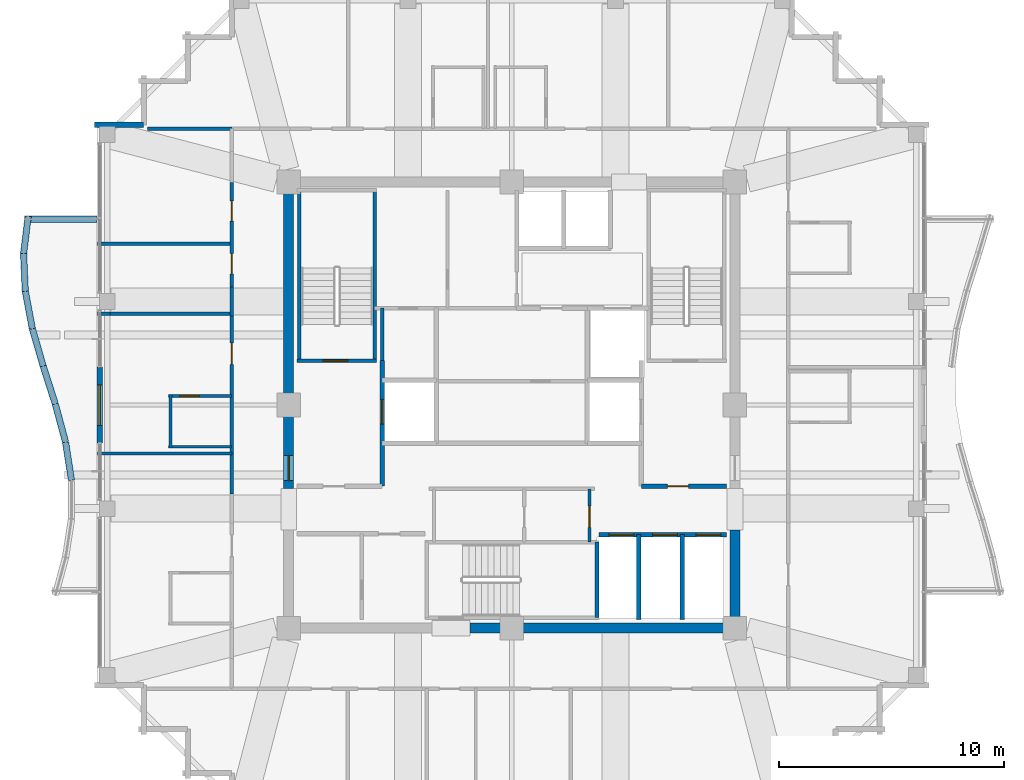
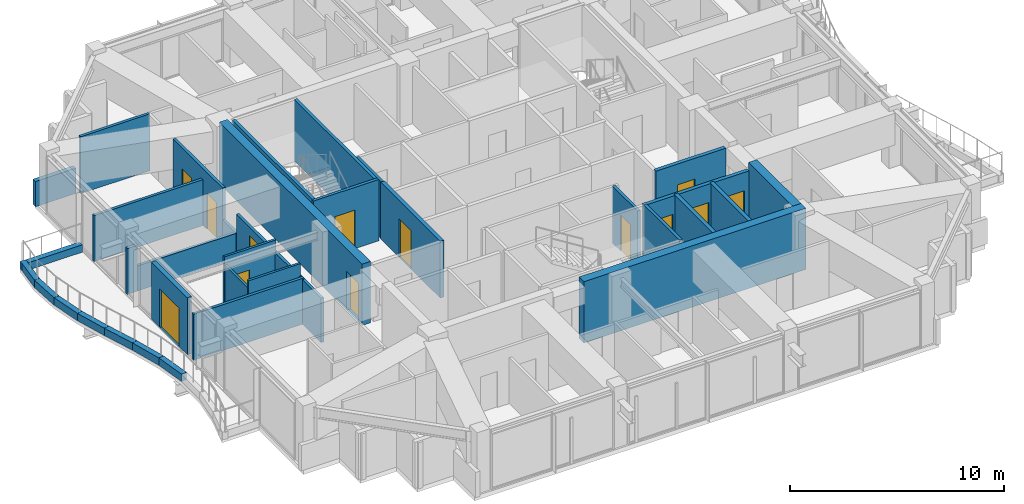
# One storey, part 26 of 31: 35 walls, 13 doors, 13 openings.
"""IFC4 building model written with IfcOpenShell, lengths in metres."""

import ifcopenshell
import ifcopenshell.guid

model = None  # the IFC model being written
_history = None  # IfcOwnerHistory: only IFC2X3 demands one
_inside = {}  # id of a spatial element -> (the spatial element, [elements in it])
_under = {}  # id of a project, library or spatial element -> (it, [spatial elements below it])
_declared = {}  # id of a project -> (the project, [libraries it declares])
_typed = {}  # id of a type object -> (the type object, [elements of that type])
_made_of = {}  # id of a material, layer set ... -> (it, [elements and type objects made of it])


def new_model(schema):
    """Start an empty IFC model of exactly this schema.

    Asked for "IFC4X3", IfcOpenShell would pick the latest addendum, in which some entities
    have other attributes; the version numbers below select the first issue.
    IFC2X3 requires an IfcOwnerHistory on every rooted entity: one is made here for all.
    """
    global model, _history
    if schema == "IFC4X3":
        model = ifcopenshell.file(schema_version=(4, 3, 0, 0))
    else:
        model = ifcopenshell.file(schema=schema)
    _inside.clear()
    _under.clear()
    _declared.clear()
    _typed.clear()
    _made_of.clear()
    _history = None
    if model.schema == "IFC2X3":
        org = make("IfcOrganization", Name="unknown")
        user = make(
            "IfcPersonAndOrganization",
            ThePerson=make("IfcPerson", FamilyName="unknown"),
            TheOrganization=org,
        )
        app = make(
            "IfcApplication",
            ApplicationDeveloper=org,
            Version="unknown",
            ApplicationFullName="unknown",
            ApplicationIdentifier="unknown",
        )
        _history = make(
            "IfcOwnerHistory",
            OwningUser=user,
            OwningApplication=app,
            ChangeAction="ADDED",
            CreationDate=0,
        )
    return model


def make(cls, **values):
    """One entity of the class cls with the attributes given. An attribute that is None is left unset."""
    return model.create_entity(
        cls, **{name: value for name, value in values.items() if value is not None}
    )


def rooted(cls, **values):
    """An entity with a GlobalId (a new one), such as an element, a storey or a relation."""
    return make(cls, GlobalId=ifcopenshell.guid.new(), OwnerHistory=_history, **values)


def si_unit(unit_type, name, prefix=None):
    """IfcSIUnit, for example si_unit("LENGTHUNIT", "METRE", prefix="MILLI")."""
    return make("IfcSIUnit", UnitType=unit_type, Prefix=prefix, Name=name)


def assignment(units):
    """IfcUnitAssignment: the units of a project."""
    return None if units is None else make("IfcUnitAssignment", Units=units)


def point(xyz):
    """IfcCartesianPoint."""
    return None if xyz is None else make("IfcCartesianPoint", Coordinates=xyz)


def direction(xyz):
    """IfcDirection."""
    return None if xyz is None else make("IfcDirection", DirectionRatios=xyz)


def frame(location, z_axis=None, x_axis=None):
    """IfcAxis2Placement3D, a coordinate frame: its origin and axes. An axis left out is left unset."""
    return make(
        "IfcAxis2Placement3D",
        Location=point(location),
        Axis=direction(z_axis),
        RefDirection=direction(x_axis),
    )


def frame_2d(location, x_axis=None):
    """IfcAxis2Placement2D, a coordinate frame in the plane: its origin and x axis."""
    return make(
        "IfcAxis2Placement2D", Location=point(location), RefDirection=direction(x_axis)
    )


def origin():
    """The frame at (0, 0, 0) with its axes left unset."""
    return frame((0.0, 0.0, 0.0))


def place(relative_to, where):
    """IfcLocalPlacement: puts the frame where relative to a parent placement (None: the world)."""
    return make(
        "IfcLocalPlacement", PlacementRelTo=relative_to, RelativePlacement=where
    )


def context(
    kind, dimensions, precision=None, world=None, true_north=None, identifier=None
):
    """IfcGeometricRepresentationContext, for example the 3D "Model" context."""
    return make(
        "IfcGeometricRepresentationContext",
        ContextIdentifier=identifier,
        ContextType=kind,
        CoordinateSpaceDimension=dimensions,
        Precision=precision,
        WorldCoordinateSystem=world,
        TrueNorth=true_north,
    )


def subcontext(parent, identifier, kind, view, scale=None):
    """IfcGeometricRepresentationSubContext, for example "Body" below "Model"."""
    return make(
        "IfcGeometricRepresentationSubContext",
        ContextIdentifier=identifier,
        ContextType=kind,
        ParentContext=parent,
        TargetScale=scale,
        TargetView=view,
    )


def project(units=None, contexts=None):
    """IfcProject with its units and contexts."""
    return rooted(
        "IfcProject",
        Name="project",
        RepresentationContexts=contexts,
        UnitsInContext=assignment(units),
    )


def spatial(cls, under=None, at=None, **own):
    """A site, building, storey or space (cls), placed at a placement, below another one or the project."""
    s = rooted(cls, ObjectPlacement=at, **own)
    if under is not None:
        _under.setdefault(under.id(), (under, []))[1].append(s)
    return s


def profile(cls, at=None, kind="AREA", **sizes):
    """A parametric profile (cls). Its sizes go by their IFC names, for example OverallWidth=200.0."""
    return make(cls, ProfileType=kind, Position=at, **sizes)


def rectangle(**sizes):
    """IfcRectangleProfileDef."""
    return profile("IfcRectangleProfileDef", **sizes)


def extrude(swept, where, along, depth):
    """IfcExtrudedAreaSolid: the profile swept, set in the frame where, extruded along a direction by depth."""
    return make(
        "IfcExtrudedAreaSolid",
        SweptArea=swept,
        Position=where,
        ExtrudedDirection=direction(along),
        Depth=depth,
    )


def shape(context_of_items, identifier, shape_type, items):
    """IfcShapeRepresentation: the items that make up one representation, for example the "Body"."""
    return make(
        "IfcShapeRepresentation",
        ContextOfItems=context_of_items,
        RepresentationIdentifier=identifier,
        RepresentationType=shape_type,
        Items=items,
    )


def material(Name=None, Category=None):
    """IfcMaterial."""
    return make("IfcMaterial", Name=Name, Category=Category)


def layer(
    of_material, thickness, ventilated=None, Name=None, Category=None, Priority=None
):
    """IfcMaterialLayer: one layer of a wall or slab, of a material (None: an air gap)."""
    return make(
        "IfcMaterialLayer",
        Material=of_material,
        LayerThickness=thickness,
        IsVentilated=ventilated,
        Name=Name,
        Category=Category,
        Priority=Priority,
    )


def layer_set(layers, Name=None):
    """IfcMaterialLayerSet."""
    return make("IfcMaterialLayerSet", MaterialLayers=layers, LayerSetName=Name)


def made_of(thing, what):
    """Note that an element or type object is made of a material, layer set ...; save() writes the relation."""
    if what is not None:
        _made_of.setdefault(what.id(), (what, []))[1].append(thing)
    return thing


def type_object(cls, material=None, **own):
    """A type object (cls), such as IfcWallType, which elements share."""
    return made_of(rooted(cls, **own), material)


def element(
    cls,
    number,
    at=None,
    inside=None,
    cuts=None,
    type_object=None,
    material=None,
    context=None,
    identifier="Body",
    shape_type=None,
    held_by="IfcProductDefinitionShape",
    body=None,
    shapes=None,
    **own,
):
    """One element of the class cls, such as IfcWall. Its Tag is "e" and its number.

    at: its placement. inside: the storey or other place that contains it. cuts: it is an
    opening in that element (IfcRelVoidsElement). A single representation is given by context,
    identifier, shape_type and body (its items); several are given by shapes. held_by: the class
    of the entity that holds the representations. save() writes the other relations.
    """
    e = rooted(cls, Tag="e%d" % number, ObjectPlacement=at, **own)
    if body is not None:
        shapes = [shape(context, identifier, shape_type, body)]
    if shapes is not None:
        e.Representation = make(held_by, Representations=shapes)
    if inside is not None:
        _inside.setdefault(inside.id(), (inside, []))[1].append(e)
    if cuts is not None:
        rooted(
            "IfcRelVoidsElement", RelatingBuildingElement=cuts, RelatedOpeningElement=e
        )
    if type_object is not None:
        _typed.setdefault(type_object.id(), (type_object, []))[1].append(e)
    return made_of(e, material)


def fill(opening, filler):
    """IfcRelFillsElement: the door or window that sits in an opening."""
    return rooted(
        "IfcRelFillsElement",
        RelatingOpeningElement=opening,
        RelatedBuildingElement=filler,
    )


def aggregate(whole, parts):
    """IfcRelAggregates: a whole, such as a stair, and the parts it consists of."""
    return rooted("IfcRelAggregates", RelatingObject=whole, RelatedObjects=parts)


def save(model, path):
    """Write the relations noted so far, then the file.

    IfcRelAggregates (storeys below a building ...), IfcRelContainedInSpatialStructure (elements
    in a storey), IfcRelDefinesByType, IfcRelAssociatesMaterial and IfcRelDeclares: one each for
    every whole, place, type object, material and project.
    """
    for whole, parts in _under.values():
        aggregate(whole, parts)
    for where, things in _inside.values():
        rooted(
            "IfcRelContainedInSpatialStructure",
            RelatedElements=things,
            RelatingStructure=where,
        )
    for kind, things in _typed.values():
        rooted("IfcRelDefinesByType", RelatedObjects=things, RelatingType=kind)
    for what, things in _made_of.values():
        rooted("IfcRelAssociatesMaterial", RelatedObjects=things, RelatingMaterial=what)
    for by, libraries in _declared.values():
        rooted("IfcRelDeclares", RelatingContext=by, RelatedDefinitions=libraries)
    model.write(path)


model = new_model("IFC4")

# Units and contexts
model_context = context("Model", 3, precision=1e-05, world=origin(), true_north=direction((0.0, 1.0)))
body_context = subcontext(model_context, "Body", "Model", "MODEL_VIEW")
ifc_project = project(units=[si_unit("LENGTHUNIT", "METRE"), si_unit("AREAUNIT", "SQUARE_METRE"), si_unit("VOLUMEUNIT", "CUBIC_METRE"), si_unit("PLANEANGLEUNIT", "RADIAN"), si_unit("MASSUNIT", "GRAM", prefix="KILO")], contexts=[model_context])

# Site, building, storey
site_placement = place(None, origin())
site = spatial("IfcSite", under=ifc_project, at=site_placement, CompositionType="ELEMENT")
building_placement = place(site_placement, origin())
building = spatial("IfcBuilding", under=site, at=building_placement, Name="Kolvaren Belvedere", CompositionType="ELEMENT")
storey_placement = place(building_placement, frame((0.0, 0.0, 237.39990234375)))
storey = spatial("IfcBuildingStorey", under=building, at=storey_placement, Name="L69", CompositionType="ELEMENT", Elevation=237.39990234375)

# Walls
ifc_material_1 = material(Name="Concrete C50/60", Category="concrete")
ifc_layer_1 = layer(ifc_material_1, 0.449951171875)
ifc_layer_set_1 = layer_set([ifc_layer_1], Name="Concrete C50/60")
wall_type_1 = type_object("IfcWallType", Name="CW-CORE-450", PredefinedType="SHEAR", material=ifc_layer_set_1)
wall_1_placement = place(storey_placement, frame((10.125, -9.89990234375, 0.0), z_axis=(0.0, 0.0, 1.0), x_axis=(-1.0, 0.0, 0.0)))
element("IfcWall", 1, at=wall_1_placement, inside=storey, type_object=wall_type_1, Name="L69 South Core Shear Wall 1", PredefinedType="SHEAR", context=body_context, shape_type="SweptSolid", body=[
    extrude(rectangle(XDim=11.985107421875, YDim=0.449951171875, at=frame_2d((5.99267578125, 0.0))), origin(), (0.0, 0.0, 1.0), 3.5),
])
wall_2_placement = place(storey_placement, frame((9.89990234375, -9.675048828125, 0.0), z_axis=(0.0, 0.0, 1.0), x_axis=(0.0, 1.0, 0.0)))
element("IfcWall", 2, at=wall_2_placement, inside=storey, type_object=wall_type_1, Name="L69 East Core Shear Wall 1", PredefinedType="SHEAR", context=body_context, shape_type="SweptSolid", body=[
    extrude(rectangle(XDim=4.125, YDim=0.449951171875, at=frame_2d((2.0625, 0.0))), origin(), (0.0, 0.0, 1.0), 3.5),
])

# Wall, opening, door
wall_3_placement = place(storey_placement, frame((-9.89990234375, -3.699951171875, 0.0), z_axis=(0.0, 0.0, 1.0), x_axis=(0.0, 1.0, 0.0)))
wall_3 = element("IfcWall", 3, at=wall_3_placement, inside=storey, type_object=wall_type_1, Name="L69 West Core Shear Wall 2", PredefinedType="SHEAR", context=body_context, shape_type="SweptSolid", body=[
    extrude(rectangle(XDim=13.375, YDim=0.449951171875, at=frame_2d((6.6875, 0.0))), origin(), (0.0, 0.0, 1.0), 3.5),
])
opening_1_placement = place(wall_3_placement, frame((0.35009765625, 0.0, 0.0)))
opening_1 = element("IfcOpeningElement", 4, at=opening_1_placement, cuts=wall_3, Name="Opening D-FD90", PredefinedType="OPENING", context=body_context, shape_type="SweptSolid", body=[
    extrude(rectangle(XDim=1.10009765625, YDim=2.199951171875, at=frame_2d((0.550048828125, 1.10009765625))), frame((0.0, 0.23486328125, 0.0), z_axis=(0.0, -1.0, 0.0), x_axis=(1.0, 0.0, 0.0)), (0.0, 0.0, 1.0), 0.469970703125),
])
ifc_material_2 = material(Name="Painted hollow stainless steel", Category="steel")
door_type_1 = type_object("IfcDoorType", Name="DR-FD90-1100", OperationType="NOTDEFINED", PredefinedType="DOOR", material=ifc_material_2)
door_1_placement = place(opening_1_placement, origin())
door_1 = element("IfcDoor", 5, at=door_1_placement, inside=storey, type_object=door_type_1, Name="L69 West Firefighting Lobby Fire Door", OperationType="SINGLE_SWING_LEFT", OverallHeight=2.199951171875, OverallWidth=1.10009765625, PredefinedType="DOOR", context=body_context, shape_type="SweptSolid", body=[
    extrude(rectangle(XDim=1.10009765625, YDim=2.199951171875, at=frame_2d((0.550048828125, 1.10009765625))), frame((0.0, 0.02490234375, 0.0), z_axis=(0.0, -1.0, 0.0), x_axis=(1.0, 0.0, 0.0)), (0.0, 0.0, 1.0), 0.050048828125),
])
fill(opening_1, door_1)

ifc_material_3 = material(Name="Concrete C50/60", Category="concrete")
ifc_layer_2 = layer(ifc_material_3, 0.159912109375)
ifc_layer_set_2 = layer_set([ifc_layer_2], Name="Concrete C50/60")
wall_type_2 = type_object("IfcWallType", Name="CW-STAIR-160", PredefinedType="SHEAR", material=ifc_layer_set_2)
wall_4_placement = place(storey_placement, frame((-9.52001953125, 1.969970703125, 0.0), z_axis=(0.0, 0.0, 1.0), x_axis=(1.0, 0.0, 0.0)))
wall_4 = element("IfcWall", 6, at=wall_4_placement, inside=storey, type_object=wall_type_2, Name="L69 Stair ST-1 South Shear Wall", PredefinedType="SHEAR", context=body_context, shape_type="SweptSolid", body=[
    extrude(rectangle(XDim=3.52001953125, YDim=0.159912109375, at=frame_2d((1.760009765625, 0.0))), origin(), (0.0, 0.0, 1.0), 3.5),
])
opening_2_placement = place(wall_4_placement, frame((1.14990234375, 0.0, 0.0)))
opening_2 = element("IfcOpeningElement", 7, at=opening_2_placement, cuts=wall_4, Name="Opening D-FD90", PredefinedType="OPENING", context=body_context, shape_type="SweptSolid", body=[
    extrude(rectangle(XDim=1.10009765625, YDim=2.199951171875, at=frame_2d((0.550048828125, 1.10009765625))), frame((0.0, 0.08984375, 0.0), z_axis=(0.0, -1.0, 0.0), x_axis=(1.0, 0.0, 0.0)), (0.0, 0.0, 1.0), 0.179931640625),
])
door_2_placement = place(opening_2_placement, origin())
door_2 = element("IfcDoor", 8, at=door_2_placement, inside=storey, type_object=door_type_1, Name="L69 Stair ST-1 Fire Door", OperationType="SINGLE_SWING_LEFT", OverallHeight=2.199951171875, OverallWidth=1.10009765625, PredefinedType="DOOR", context=body_context, shape_type="SweptSolid", body=[
    extrude(rectangle(XDim=1.10009765625, YDim=2.199951171875, at=frame_2d((0.550048828125, 1.10009765625))), frame((0.0, 0.02490234375, 0.0), z_axis=(0.0, -1.0, 0.0), x_axis=(1.0, 0.0, 0.0)), (0.0, 0.0, 1.0), 0.050048828125),
])
fill(opening_2, door_2)

# Walls
for number, where, z_axis, x_axis, name in (
    (9, (-9.429931640625, 1.969970703125, 0.0), (0.0, 0.0, 1.0), (0.0, 1.0, 0.0), "L69 Stair ST-1 West Shear Wall"),
    (10, (-6.080078125, 1.969970703125, 0.0), (0.0, 0.0, 1.0), (0.0, 1.0, 0.0), "L69 Stair ST-1 East Shear Wall"),
):
    element("IfcWall", number, at=place(storey_placement, frame(where, z_axis=z_axis, x_axis=x_axis)), inside=storey, type_object=wall_type_2, Name=name, PredefinedType="SHEAR", context=body_context, shape_type="SweptSolid", body=[
        extrude(rectangle(XDim=7.56005859375, YDim=0.159912109375, at=frame_2d((3.780029296875, 0.0))), origin(), (0.0, 0.0, 1.0), 3.5),
    ])
wall_5_placement = place(storey_placement, frame((3.780029296875, -9.429931640625, 0.0), z_axis=(0.0, 0.0, 1.0), x_axis=(0.0, 1.0, 0.0)))
element("IfcWall", 11, at=wall_5_placement, inside=storey, type_object=wall_type_2, Name="L69 Stair ST-3 East Shear Wall", PredefinedType="SHEAR", context=body_context, shape_type="SweptSolid", body=[
    extrude(rectangle(XDim=3.349853515625, YDim=0.159912109375, at=frame_2d((1.6748046875, 0.0))), origin(), (0.0, 0.0, 1.0), 3.5),
])

# Wall, opening, door
ifc_material_4 = material(Name="Gypsum fire-rated partition assembly", Category="gypsum")
ifc_layer_3 = layer(ifc_material_4, 0.14990234375)
ifc_layer_set_3 = layer_set([ifc_layer_3], Name="Gypsum fire-rated partition assembly")
wall_type_3 = type_object("IfcWallType", Name="WL-CORR-150", PredefinedType="PARTITIONING", material=ifc_layer_set_3)
wall_6_placement = place(storey_placement, frame((-12.419921875, -3.9580078125, 0.0), z_axis=(0.0, 0.0, 1.0), x_axis=(0.0, 1.0, 0.0)))
wall_6 = element("IfcWall", 12, at=wall_6_placement, inside=storey, type_object=wall_type_3, Name="L69 West Corridor Wall", PredefinedType="PARTITIONING", context=body_context, shape_type="SweptSolid", body=[
    extrude(rectangle(XDim=7.916015625, YDim=0.14990234375, at=frame_2d((3.9580078125, 0.0))), origin(), (0.0, 0.0, 1.0), 2.5390625),
])
opening_3_placement = place(wall_6_placement, frame((5.757568359375, 0.0, 0.0)))
opening_3 = element("IfcOpeningElement", 13, at=opening_3_placement, cuts=wall_6, Name="Opening D-FD60", PredefinedType="OPENING", context=body_context, shape_type="SweptSolid", body=[
    extrude(rectangle(XDim=0.949951171875, YDim=2.06005859375, at=frame_2d((0.47509765625, 1.030029296875))), frame((0.0, 0.0849609375, 0.0), z_axis=(0.0, -1.0, 0.0), x_axis=(1.0, 0.0, 0.0)), (0.0, 0.0, 1.0), 0.169921875),
])
ifc_material_5 = material(Name="Acoustic white-oak fire door leaf", Category="timber")
door_type_2 = type_object("IfcDoorType", Name="DR-FD60-950", OperationType="NOTDEFINED", PredefinedType="DOOR", material=ifc_material_5)
door_3_placement = place(opening_3_placement, origin())
door_3 = element("IfcDoor", 14, at=door_3_placement, inside=storey, type_object=door_type_2, Name="L69 King Guest Room 6907 Entry Door", OperationType="SINGLE_SWING_LEFT", OverallHeight=2.06005859375, OverallWidth=0.949951171875, PredefinedType="DOOR", context=body_context, shape_type="SweptSolid", body=[
    extrude(rectangle(XDim=0.949951171875, YDim=2.06005859375, at=frame_2d((0.47509765625, 1.030029296875))), frame((0.0, 0.02490234375, 0.0), z_axis=(0.0, -1.0, 0.0), x_axis=(1.0, 0.0, 0.0)), (0.0, 0.0, 1.0), 0.050048828125),
])
fill(opening_3, door_3)

# Wall
wall_7_placement = place(storey_placement, frame((-12.419921875, 3.9580078125, 0.0), z_axis=(0.0, 0.0, 1.0), x_axis=(0.0, 1.0, 0.0)))
element("IfcWall", 15, at=wall_7_placement, inside=storey, type_object=wall_type_3, Name="L69 West Corridor Wall", PredefinedType="PARTITIONING", context=body_context, shape_type="SweptSolid", body=[
    extrude(rectangle(XDim=1.283935546875, YDim=0.14990234375, at=frame_2d((0.64208984375, 0.0))), origin(), (0.0, 0.0, 1.0), 1.43505859375),
])

# Wall, openings, doors
wall_8_placement = place(storey_placement, frame((-12.419921875, 5.241943359375, 0.0), z_axis=(0.0, 0.0, 1.0), x_axis=(0.0, 1.0, 0.0)))
wall_8 = element("IfcWall", 16, at=wall_8_placement, inside=storey, type_object=wall_type_3, Name="L69 West Corridor Wall", PredefinedType="PARTITIONING", context=body_context, shape_type="SweptSolid", body=[
    extrude(rectangle(XDim=4.63037109375, YDim=0.14990234375, at=frame_2d((2.315185546875, 0.0))), origin(), (0.0, 0.0, 1.0), 3.25),
])
opening_4_placement = place(wall_8_placement, frame((0.579833984375, 0.0, 0.0)))
opening_4 = element("IfcOpeningElement", 17, at=opening_4_placement, cuts=wall_8, Name="Opening D-INT90", PredefinedType="OPENING", context=body_context, shape_type="SweptSolid", body=[
    extrude(rectangle(XDim=0.89990234375, YDim=2.06005859375, at=frame_2d((0.449951171875, 1.030029296875))), frame((0.0, 0.0849609375, 0.0), z_axis=(0.0, -1.0, 0.0), x_axis=(1.0, 0.0, 0.0)), (0.0, 0.0, 1.0), 0.169921875),
])
opening_5_placement = place(wall_8_placement, frame((2.914794921875, 0.0, 0.0)))
opening_5 = element("IfcOpeningElement", 18, at=opening_5_placement, cuts=wall_8, Name="Opening D-INT90", PredefinedType="OPENING", context=body_context, shape_type="SweptSolid", body=[
    extrude(rectangle(XDim=0.89990234375, YDim=2.06005859375, at=frame_2d((0.449951171875, 1.030029296875))), frame((0.0, 0.0849609375, 0.0), z_axis=(0.0, -1.0, 0.0), x_axis=(1.0, 0.0, 0.0)), (0.0, 0.0, 1.0), 0.169921875),
])
ifc_material_6 = material(Name="Stained Pacific white oak", Category="timber")
door_type_3 = type_object("IfcDoorType", Name="DR-INT-900", OperationType="NOTDEFINED", PredefinedType="DOOR", material=ifc_material_6)
door_4_placement = place(opening_4_placement, origin())
door_4 = element("IfcDoor", 19, at=door_4_placement, inside=storey, type_object=door_type_3, Name="L69 Lounge 6908 Door", OperationType="SINGLE_SWING_RIGHT", OverallHeight=2.06005859375, OverallWidth=0.89990234375, PredefinedType="DOOR", context=body_context, shape_type="SweptSolid", body=[
    extrude(rectangle(XDim=0.89990234375, YDim=2.06005859375, at=frame_2d((0.449951171875, 1.030029296875))), frame((0.0, 0.02490234375, 0.0), z_axis=(0.0, -1.0, 0.0), x_axis=(1.0, 0.0, 0.0)), (0.0, 0.0, 1.0), 0.050048828125),
])
fill(opening_4, door_4)
door_5_placement = place(opening_5_placement, origin())
door_5 = element("IfcDoor", 20, at=door_5_placement, inside=storey, type_object=door_type_3, Name="L69 Lounge 6909 Door", OperationType="SINGLE_SWING_LEFT", OverallHeight=2.06005859375, OverallWidth=0.89990234375, PredefinedType="DOOR", context=body_context, shape_type="SweptSolid", body=[
    extrude(rectangle(XDim=0.89990234375, YDim=2.06005859375, at=frame_2d((0.449951171875, 1.030029296875))), frame((0.0, 0.02490234375, 0.0), z_axis=(0.0, -1.0, 0.0), x_axis=(1.0, 0.0, 0.0)), (0.0, 0.0, 1.0), 0.050048828125),
])
fill(opening_5, door_5)

# Wall
ifc_material_7 = material(Name="Insulated pale-metal facade wall assembly", Category="aluminium")
ifc_layer_4 = layer(ifc_material_7, 0.239990234375)
ifc_layer_set_4 = layer_set([ifc_layer_4], Name="Insulated pale-metal facade wall assembly")
wall_type_4 = type_object("IfcWallType", Name="WL-EXT-240", PredefinedType="STANDARD", material=ifc_layer_set_4)
wall_9_placement = place(storey_placement, frame((-18.52001953125, 12.429931640625, 0.0), z_axis=(0.0, 0.0, 1.0), x_axis=(1.0, 0.0, 0.0)))
element("IfcWall", 21, at=wall_9_placement, inside=storey, type_object=wall_type_4, Name="L69 Serrated Corner Facade Wall 21", PredefinedType="STANDARD", context=body_context, shape_type="SweptSolid", body=[
    extrude(rectangle(XDim=2.18994140625, YDim=0.239990234375, at=frame_2d((1.094970703125, 0.0))), origin(), (0.0, 0.0, 1.0), 1.445068359375),
])

# Wall, opening, door
wall_10_placement = place(storey_placement, frame((-18.280029296875, -1.679931640625, 0.0), z_axis=(0.0, 0.0, 1.0), x_axis=(0.0, 1.0, 0.0)))
wall_10 = element("IfcWall", 22, at=wall_10_placement, inside=storey, type_object=wall_type_4, Name="L69 West Terrace Portal Wall", PredefinedType="STANDARD", context=body_context, shape_type="SweptSolid", body=[
    extrude(rectangle(XDim=3.35986328125, YDim=0.239990234375, at=frame_2d((1.679931640625, 0.0))), origin(), (0.0, 0.0, 1.0), 3.25),
])
opening_6_placement = place(wall_10_placement, frame((0.780029296875, 0.0, 0.0)))
opening_6 = element("IfcOpeningElement", 23, at=opening_6_placement, cuts=wall_10, Name="Opening DB-1800", PredefinedType="OPENING", context=body_context, shape_type="SweptSolid", body=[
    extrude(rectangle(XDim=1.800048828125, YDim=2.199951171875, at=frame_2d((0.89990234375, 1.10009765625))), frame((0.0, 0.1298828125, 0.0), z_axis=(0.0, -1.0, 0.0), x_axis=(1.0, 0.0, 0.0)), (0.0, 0.0, 1.0), 0.260009765625),
])
ifc_material_8 = material(Name="Thermally broken pale-metal aluminium & low-iron glass", Category="aluminium")
door_type_4 = type_object("IfcDoorType", Name="DR-BAL-1800", OperationType="DOUBLE_DOOR_SLIDING", PredefinedType="DOOR", material=ifc_material_8)
door_6_placement = place(opening_6_placement, origin())
door_6 = element("IfcDoor", 24, at=door_6_placement, inside=storey, type_object=door_type_4, Name="L69 West Planted Terrace Sliding Door", OperationType="DOUBLE_DOOR_SLIDING", OverallHeight=2.199951171875, OverallWidth=1.800048828125, PredefinedType="DOOR", context=body_context, shape_type="SweptSolid", body=[
    extrude(rectangle(XDim=1.800048828125, YDim=2.199951171875, at=frame_2d((0.89990234375, 1.10009765625))), frame((0.0, 0.02490234375, 0.0), z_axis=(0.0, -1.0, 0.0), x_axis=(1.0, 0.0, 0.0)), (0.0, 0.0, 1.0), 0.050048828125),
])
fill(opening_6, door_6)

ifc_material_9 = material(Name="Gypsum acoustic partition assembly", Category="gypsum")
ifc_layer_5 = layer(ifc_material_9, 0.14990234375)
ifc_layer_set_5 = layer_set([ifc_layer_5], Name="Gypsum acoustic partition assembly")
wall_type_5 = type_object("IfcWallType", Name="WL-PART-150", PredefinedType="PARTITIONING", material=ifc_layer_set_5)
wall_11_placement = place(storey_placement, frame((3.449951171875, -6.080078125, 0.0), z_axis=(0.0, 0.0, 1.0), x_axis=(0.0, 1.0, 0.0)))
wall_11 = element("IfcWall", 25, at=wall_11_placement, inside=storey, type_object=wall_type_5, Name="L69 South Core Service East Wall", PredefinedType="PARTITIONING", context=body_context, shape_type="SweptSolid", body=[
    extrude(rectangle(XDim=2.360107421875, YDim=0.14990234375, at=frame_2d((1.18017578125, 0.0))), origin(), (0.0, 0.0, 1.0), 3.25),
])
opening_7_placement = place(wall_11_placement, frame((0.64990234375, 0.0, 0.0)))
opening_7 = element("IfcOpeningElement", 26, at=opening_7_placement, cuts=wall_11, Name="Opening D-FD60", PredefinedType="OPENING", context=body_context, shape_type="SweptSolid", body=[
    extrude(rectangle(XDim=0.949951171875, YDim=2.06005859375, at=frame_2d((0.47509765625, 1.030029296875))), frame((0.0, 0.0849609375, 0.0), z_axis=(0.0, -1.0, 0.0), x_axis=(1.0, 0.0, 0.0)), (0.0, 0.0, 1.0), 0.169921875),
])
door_7_placement = place(opening_7_placement, origin())
door_7 = element("IfcDoor", 27, at=door_7_placement, inside=storey, type_object=door_type_2, Name="L69 Core Service Room Door", OperationType="SINGLE_SWING_LEFT", OverallHeight=2.06005859375, OverallWidth=0.949951171875, PredefinedType="DOOR", context=body_context, shape_type="SweptSolid", body=[
    extrude(rectangle(XDim=0.949951171875, YDim=2.06005859375, at=frame_2d((0.47509765625, 1.030029296875))), frame((0.0, 0.02490234375, 0.0), z_axis=(0.0, -1.0, 0.0), x_axis=(1.0, 0.0, 0.0)), (0.0, 0.0, 1.0), 0.050048828125),
])
fill(opening_7, door_7)

# Walls
wall_12_placement = place(storey_placement, frame((-5.75, 1.969970703125, 0.0), z_axis=(0.0, 0.0, 1.0), x_axis=(0.0, 1.0, 0.0)))
element("IfcWall", 28, at=wall_12_placement, inside=storey, type_object=wall_type_5, Name="L69 NW Service Room West Wall", PredefinedType="PARTITIONING", context=body_context, shape_type="SweptSolid", body=[
    extrude(rectangle(XDim=2.330078125, YDim=0.14990234375, at=frame_2d((1.1650390625, 0.0))), origin(), (0.0, 0.0, 1.0), 3.25),
])
wall_13_placement = place(storey_placement, frame((-16.158447265625, 12.260009765625, 0.0), z_axis=(0.0, 0.0, 1.0), x_axis=(1.0, 0.0, 0.0)))
element("IfcWall", 29, at=wall_13_placement, inside=storey, type_object=wall_type_5, Name="L69 Wing Divider PW-L69-QNW", PredefinedType="PARTITIONING", context=body_context, shape_type="SweptSolid", body=[
    extrude(rectangle(XDim=3.738525390625, YDim=0.14990234375, at=frame_2d((1.869140625, 0.0))), origin(), (0.0, 0.0, 1.0), 3.25),
])
wall_14_placement = place(storey_placement, frame((-18.3798828125, -2.14794921875, 0.0), z_axis=(0.0, 0.0, 1.0), x_axis=(1.0, 0.0, 0.0)))
element("IfcWall", 30, at=wall_14_placement, inside=storey, type_object=wall_type_5, Name="L69 West Suite Demising Wall 1", PredefinedType="PARTITIONING", context=body_context, shape_type="SweptSolid", body=[
    extrude(rectangle(XDim=5.9599609375, YDim=0.14990234375, at=frame_2d((2.97998046875, 0.0))), origin(), (0.0, 0.0, 1.0), 2.623046875),
])
wall_15_placement = place(storey_placement, frame((-18.3798828125, 4.052001953125, 0.0), z_axis=(0.0, 0.0, 1.0), x_axis=(1.0, 0.0, 0.0)))
element("IfcWall", 31, at=wall_15_placement, inside=storey, type_object=wall_type_5, Name="L69 West Suite Demising Wall 2", PredefinedType="PARTITIONING", context=body_context, shape_type="SweptSolid", body=[
    extrude(rectangle(XDim=0.557373046875, YDim=0.14990234375, at=frame_2d((0.27880859375, 0.0))), origin(), (0.0, 0.0, 1.0), 2.623046875),
])
wall_16_placement = place(storey_placement, frame((-17.822509765625, 4.052001953125, 0.0), z_axis=(0.0, 0.0, 1.0), x_axis=(1.0, 0.0, 0.0)))
element("IfcWall", 32, at=wall_16_placement, inside=storey, type_object=wall_type_5, Name="L69 West Suite Demising Wall 2", PredefinedType="PARTITIONING", context=body_context, shape_type="SweptSolid", body=[
    extrude(rectangle(XDim=5.402587890625, YDim=0.14990234375, at=frame_2d((2.701171875, 0.0))), origin(), (0.0, 0.0, 1.0), 1.43505859375),
])
wall_17_placement = place(storey_placement, frame((-18.3798828125, 7.152099609375, 0.0), z_axis=(0.0, 0.0, 1.0), x_axis=(1.0, 0.0, 0.0)))
element("IfcWall", 33, at=wall_17_placement, inside=storey, type_object=wall_type_5, Name="L69 West Suite Demising Wall 3", PredefinedType="PARTITIONING", context=body_context, shape_type="SweptSolid", body=[
    extrude(rectangle(XDim=5.9599609375, YDim=0.14990234375, at=frame_2d((2.97998046875, 0.0))), origin(), (0.0, 0.0, 1.0), 2.623046875),
])
ifc_material_10 = material(Name="Precast concrete C40/50", Category="concrete")
ifc_layer_6 = layer(ifc_material_10, 0.300048828125)
ifc_layer_set_6 = layer_set([ifc_layer_6], Name="Precast concrete C40/50")
wall_type_6 = type_object("IfcWallType", Name="WL-PLANTER-300", PredefinedType="PARAPET", material=ifc_layer_set_6)
wall_18_placement = place(storey_placement, frame((-21.454833984375, 8.380615234375, -0.06982421875), z_axis=(0.0, 0.0, 1.0), x_axis=(-0.121868867697, -0.992546210051, 0.0)))
element("IfcWall", 34, at=wall_18_placement, inside=storey, type_object=wall_type_6, Name="L69 Precast Structural Planter Wall BAL-W-1", PredefinedType="PARAPET", context=body_context, shape_type="SweptSolid", body=[
    extrude(rectangle(XDim=1.69287109375, YDim=0.280029296875, at=frame_2d((0.846435546875, 0.0))), origin(), (0.0, 0.0, 1.0), 0.419921875),
])
wall_19_placement = place(storey_placement, frame((-21.66015625, 6.727294921875, -0.06982421875), z_axis=(0.0, 0.0, 1.0), x_axis=(0.044999415011, -0.998987013253, 0.0)))
element("IfcWall", 35, at=wall_19_placement, inside=storey, type_object=wall_type_6, Name="L69 Precast Structural Planter Wall BAL-W-2", PredefinedType="PARAPET", context=body_context, shape_type="SweptSolid", body=[
    extrude(rectangle(XDim=1.681884765625, YDim=0.280029296875, at=frame_2d((0.8408203125, 0.0))), origin(), (0.0, 0.0, 1.0), 0.419921875),
])
wall_20_placement = place(storey_placement, frame((-21.5869140625, 5.069580078125, -0.06982421875), z_axis=(0.0, 0.0, 1.0), x_axis=(0.18467658162, -0.982799348901, 0.0)))
element("IfcWall", 36, at=wall_20_placement, inside=storey, type_object=wall_type_6, Name="L69 Precast Structural Planter Wall BAL-W-3", PredefinedType="PARAPET", context=body_context, shape_type="SweptSolid", body=[
    extrude(rectangle(XDim=1.709228515625, YDim=0.280029296875, at=frame_2d((0.8544921875, 0.0))), origin(), (0.0, 0.0, 1.0), 0.419921875),
])
wall_21_placement = place(storey_placement, frame((-21.274658203125, 3.404541015625, -0.06982421875), z_axis=(0.0, 0.0, 1.0), x_axis=(0.277817391164, -0.960633903819, 0.0)))
element("IfcWall", 37, at=wall_21_placement, inside=storey, type_object=wall_type_6, Name="L69 Precast Structural Planter Wall BAL-W-4", PredefinedType="PARAPET", context=body_context, shape_type="SweptSolid", body=[
    extrude(rectangle(XDim=1.748779296875, YDim=0.280029296875, at=frame_2d((0.87451171875, 0.0))), origin(), (0.0, 0.0, 1.0), 0.419921875),
])
wall_22_placement = place(storey_placement, frame((-20.7900390625, 1.728515625, -0.06982421875), z_axis=(0.0, 0.0, 1.0), x_axis=(0.304032153573, -0.952661770826, 0.0)))
element("IfcWall", 38, at=wall_22_placement, inside=storey, type_object=wall_type_6, Name="L69 Precast Structural Planter Wall BAL-W-5", PredefinedType="PARAPET", context=body_context, shape_type="SweptSolid", body=[
    extrude(rectangle(XDim=1.763427734375, YDim=0.280029296875, at=frame_2d((0.8818359375, 0.0))), origin(), (0.0, 0.0, 1.0), 0.419921875),
])
wall_23_placement = place(storey_placement, frame((-20.251708984375, 0.041748046875, -0.06982421875), z_axis=(0.0, 0.0, 1.0), x_axis=(0.260682852326, -0.965424492388, 0.0)))
element("IfcWall", 39, at=wall_23_placement, inside=storey, type_object=wall_type_6, Name="L69 Precast Structural Planter Wall BAL-W-6", PredefinedType="PARAPET", context=body_context, shape_type="SweptSolid", body=[
    extrude(rectangle(XDim=1.739990234375, YDim=0.280029296875, at=frame_2d((0.8701171875, 0.0))), origin(), (0.0, 0.0, 1.0), 0.419921875),
])
wall_24_placement = place(storey_placement, frame((-19.794677734375, -1.655517578125, -0.06982421875), z_axis=(0.0, 0.0, 1.0), x_axis=(0.152229849666, -0.988345118302, 0.0)))
element("IfcWall", 40, at=wall_24_placement, inside=storey, type_object=wall_type_6, Name="L69 Precast Structural Planter Wall BAL-W-7", PredefinedType="PARAPET", context=body_context, shape_type="SweptSolid", body=[
    extrude(rectangle(XDim=1.699951171875, YDim=0.280029296875, at=frame_2d((0.85009765625, 0.0))), origin(), (0.0, 0.0, 1.0), 0.419921875),
])
wall_25_placement = place(storey_placement, frame((-18.39990234375, 8.239990234375, -0.06982421875), z_axis=(0.0, 0.0, 1.0), x_axis=(-1.0, 0.0, 0.0)))
element("IfcWall", 41, at=wall_25_placement, inside=storey, type_object=wall_type_6, Name="L69 Precast Structural Planter Wall BAL-W-22", PredefinedType="PARAPET", context=body_context, shape_type="SweptSolid", body=[
    extrude(rectangle(XDim=3.2138671875, YDim=0.280029296875, at=frame_2d((1.60693359375, 0.0))), origin(), (0.0, 0.0, 1.0), 0.419921875),
])

# Wall, opening, door
ifc_material_11 = material(Name="Concrete C50/60", Category="concrete")
ifc_layer_7 = layer(ifc_material_11, 0.199951171875)
ifc_layer_set_7 = layer_set([ifc_layer_7], Name="Concrete C50/60")
wall_type_7 = type_object("IfcWallType", Name="WL-SHAFT-200", PredefinedType="SOLIDWALL", material=ifc_layer_set_7)
wall_26_placement = place(storey_placement, frame((-5.75, -3.60009765625, 0.0), z_axis=(0.0, 0.0, 1.0), x_axis=(0.0, 1.0, 0.0)))
wall_26 = element("IfcWall", 42, at=wall_26_placement, inside=storey, type_object=wall_type_7, Name="L69 FSAE FS1 Landing Wall", PredefinedType="SOLIDWALL", context=body_context, shape_type="SweptSolid", body=[
    extrude(rectangle(XDim=5.570068359375, YDim=0.199951171875, at=frame_2d((2.78515625, 0.0))), origin(), (0.0, 0.0, 1.0), 3.25),
])
opening_8_placement = place(wall_26_placement, frame((2.75, 0.0, 0.0)))
opening_8 = element("IfcOpeningElement", 43, at=opening_8_placement, cuts=wall_26, Name="Opening LD-11", PredefinedType="OPENING", context=body_context, shape_type="SweptSolid", body=[
    extrude(rectangle(XDim=1.10009765625, YDim=2.199951171875, at=frame_2d((0.550048828125, 1.10009765625))), frame((0.0, 0.10986328125, 0.0), z_axis=(0.0, -1.0, 0.0), x_axis=(1.0, 0.0, 0.0)), (0.0, 0.0, 1.0), 0.219970703125),
])
ifc_material_12 = material(Name="Brushed stainless steel", Category="steel")
door_type_5 = type_object("IfcDoorType", Name="DR-LIFT-1100", OperationType="DOUBLE_DOOR_SLIDING", PredefinedType="DOOR", material=ifc_material_12)
door_8_placement = place(opening_8_placement, origin())
door_8 = element("IfcDoor", 44, at=door_8_placement, inside=storey, type_object=door_type_5, Name="L69 Firefighting Lift FS1 Landing Door", OperationType="DOUBLE_DOOR_SLIDING", OverallHeight=2.199951171875, OverallWidth=1.10009765625, PredefinedType="DOOR", context=body_context, shape_type="SweptSolid", body=[
    extrude(rectangle(XDim=1.10009765625, YDim=2.199951171875, at=frame_2d((0.550048828125, 1.10009765625))), frame((0.0, 0.02490234375, 0.0), z_axis=(0.0, -1.0, 0.0), x_axis=(1.0, 0.0, 0.0)), (0.0, 0.0, 1.0), 0.050048828125),
])
fill(opening_8, door_8)

wall_27_placement = place(storey_placement, frame((5.75, -3.60009765625, 0.0), z_axis=(0.0, 0.0, 1.0), x_axis=(1.0, 0.0, 0.0)))
wall_27 = element("IfcWall", 45, at=wall_27_placement, inside=storey, type_object=wall_type_7, Name="L69 East FSAE Lobby South Wall", PredefinedType="SOLIDWALL", context=body_context, shape_type="SweptSolid", body=[
    extrude(rectangle(XDim=3.77001953125, YDim=0.199951171875, at=frame_2d((1.885009765625, 0.0))), origin(), (0.0, 0.0, 1.0), 3.25),
])
opening_9_placement = place(wall_27_placement, frame((1.14990234375, 0.0, 0.0)))
opening_9 = element("IfcOpeningElement", 46, at=opening_9_placement, cuts=wall_27, Name="Opening D-FD60", PredefinedType="OPENING", context=body_context, shape_type="SweptSolid", body=[
    extrude(rectangle(XDim=0.949951171875, YDim=2.06005859375, at=frame_2d((0.47509765625, 1.030029296875))), frame((0.0, 0.10986328125, 0.0), z_axis=(0.0, -1.0, 0.0), x_axis=(1.0, 0.0, 0.0)), (0.0, 0.0, 1.0), 0.219970703125),
])
door_9_placement = place(opening_9_placement, origin())
door_9 = element("IfcDoor", 47, at=door_9_placement, inside=storey, type_object=door_type_2, Name="L69 SE Lift Lobby Fire Door", OperationType="SINGLE_SWING_RIGHT", OverallHeight=2.06005859375, OverallWidth=0.949951171875, PredefinedType="DOOR", context=body_context, shape_type="SweptSolid", body=[
    extrude(rectangle(XDim=0.949951171875, YDim=2.06005859375, at=frame_2d((0.47509765625, 1.030029296875))), frame((0.0, 0.02490234375, 0.0), z_axis=(0.0, -1.0, 0.0), x_axis=(1.0, 0.0, 0.0)), (0.0, 0.0, 1.0), 0.050048828125),
])
fill(opening_9, door_9)

# Wall, openings, doors
wall_28_placement = place(storey_placement, frame((3.860107421875, -5.75, 0.0), z_axis=(0.0, 0.0, 1.0), x_axis=(1.0, 0.0, 0.0)))
wall_28 = element("IfcWall", 48, at=wall_28_placement, inside=storey, type_object=wall_type_7, Name="L69 High-Rise Lift Bank Front Wall", PredefinedType="SOLIDWALL", context=body_context, shape_type="SweptSolid", body=[
    extrude(rectangle(XDim=5.659912109375, YDim=0.199951171875, at=frame_2d((2.830078125, 0.0))), origin(), (0.0, 0.0, 1.0), 3.25),
])
opening_10_placement = place(wall_28_placement, frame((0.4599609375, 0.0, 0.0)))
opening_10 = element("IfcOpeningElement", 49, at=opening_10_placement, cuts=wall_28, Name="Opening LD-11", PredefinedType="OPENING", context=body_context, shape_type="SweptSolid", body=[
    extrude(rectangle(XDim=1.10009765625, YDim=2.199951171875, at=frame_2d((0.550048828125, 1.10009765625))), frame((0.0, 0.10986328125, 0.0), z_axis=(0.0, -1.0, 0.0), x_axis=(1.0, 0.0, 0.0)), (0.0, 0.0, 1.0), 0.219970703125),
])
opening_11_placement = place(wall_28_placement, frame((2.389892578125, 0.0, 0.0)))
opening_11 = element("IfcOpeningElement", 50, at=opening_11_placement, cuts=wall_28, Name="Opening LD-11", PredefinedType="OPENING", context=body_context, shape_type="SweptSolid", body=[
    extrude(rectangle(XDim=1.10009765625, YDim=2.199951171875, at=frame_2d((0.550048828125, 1.10009765625))), frame((0.0, 0.10986328125, 0.0), z_axis=(0.0, -1.0, 0.0), x_axis=(1.0, 0.0, 0.0)), (0.0, 0.0, 1.0), 0.219970703125),
])
opening_12_placement = place(wall_28_placement, frame((4.320068359375, 0.0, 0.0)))
opening_12 = element("IfcOpeningElement", 51, at=opening_12_placement, cuts=wall_28, Name="Opening LD-11", PredefinedType="OPENING", context=body_context, shape_type="SweptSolid", body=[
    extrude(rectangle(XDim=1.10009765625, YDim=2.199951171875, at=frame_2d((0.550048828125, 1.10009765625))), frame((0.0, 0.10986328125, 0.0), z_axis=(0.0, -1.0, 0.0), x_axis=(1.0, 0.0, 0.0)), (0.0, 0.0, 1.0), 0.219970703125),
])
door_10_placement = place(opening_10_placement, origin())
door_10 = element("IfcDoor", 52, at=door_10_placement, inside=storey, type_object=door_type_5, Name="L69 Passenger Lift P7 Landing Door", OperationType="DOUBLE_DOOR_SLIDING", OverallHeight=2.199951171875, OverallWidth=1.10009765625, PredefinedType="DOOR", context=body_context, shape_type="SweptSolid", body=[
    extrude(rectangle(XDim=1.10009765625, YDim=2.199951171875, at=frame_2d((0.550048828125, 1.10009765625))), frame((0.0, 0.02490234375, 0.0), z_axis=(0.0, -1.0, 0.0), x_axis=(1.0, 0.0, 0.0)), (0.0, 0.0, 1.0), 0.050048828125),
])
fill(opening_10, door_10)
door_11_placement = place(opening_11_placement, origin())
door_11 = element("IfcDoor", 53, at=door_11_placement, inside=storey, type_object=door_type_5, Name="L69 Passenger Lift P8 Landing Door", OperationType="DOUBLE_DOOR_SLIDING", OverallHeight=2.199951171875, OverallWidth=1.10009765625, PredefinedType="DOOR", context=body_context, shape_type="SweptSolid", body=[
    extrude(rectangle(XDim=1.10009765625, YDim=2.199951171875, at=frame_2d((0.550048828125, 1.10009765625))), frame((0.0, 0.02490234375, 0.0), z_axis=(0.0, -1.0, 0.0), x_axis=(1.0, 0.0, 0.0)), (0.0, 0.0, 1.0), 0.050048828125),
])
fill(opening_11, door_11)
door_12_placement = place(opening_12_placement, origin())
door_12 = element("IfcDoor", 54, at=door_12_placement, inside=storey, type_object=door_type_5, Name="L69 Passenger Lift P9 Landing Door", OperationType="DOUBLE_DOOR_SLIDING", OverallHeight=2.199951171875, OverallWidth=1.10009765625, PredefinedType="DOOR", context=body_context, shape_type="SweptSolid", body=[
    extrude(rectangle(XDim=1.10009765625, YDim=2.199951171875, at=frame_2d((0.550048828125, 1.10009765625))), frame((0.0, 0.02490234375, 0.0), z_axis=(0.0, -1.0, 0.0), x_axis=(1.0, 0.0, 0.0)), (0.0, 0.0, 1.0), 0.050048828125),
])
fill(opening_12, door_12)

# Walls
for number, where, z_axis, x_axis, name in (
    (55, (5.6298828125, -9.52001953125, 0.0), (0.0, 0.0, 1.0), (0.0, 1.0, 0.0), "L69 High-Rise Hoistway Divider 1"),
    (56, (7.56005859375, -9.52001953125, 0.0), (0.0, 0.0, 1.0), (0.0, 1.0, 0.0), "L69 High-Rise Hoistway Divider 2"),
):
    element("IfcWall", number, at=place(storey_placement, frame(where, z_axis=z_axis, x_axis=x_axis)), inside=storey, type_object=wall_type_7, Name=name, PredefinedType="SOLIDWALL", context=body_context, shape_type="SweptSolid", body=[
        extrude(rectangle(XDim=3.77001953125, YDim=0.199951171875, at=frame_2d((1.885009765625, 0.0))), origin(), (0.0, 0.0, 1.0), 3.25),
    ])

# Wall, opening, door
ifc_material_13 = material(Name="Moisture-resistant gypsum partition", Category="gypsum")
ifc_layer_8 = layer(ifc_material_13, 0.125)
ifc_layer_set_8 = layer_set([ifc_layer_8], Name="Moisture-resistant gypsum partition")
wall_type_8 = type_object("IfcWallType", Name="WL-WET-125", PredefinedType="PARTITIONING", material=ifc_layer_set_8)
wall_29_placement = place(storey_placement, frame((-15.22509765625, 0.39892578125, 0.0), z_axis=(0.0, 0.0, 1.0), x_axis=(1.0, 0.0, 0.0)))
wall_29 = element("IfcWall", 57, at=wall_29_placement, inside=storey, type_object=wall_type_8, Name="L69 Bathroom Partition PW-L69-BTH-7-N", PredefinedType="PARTITIONING", context=body_context, shape_type="SweptSolid", body=[
    extrude(rectangle(XDim=2.7900390625, YDim=0.125, at=frame_2d((1.39501953125, 0.0))), origin(), (0.0, 0.0, 1.0), 3.25),
])
opening_13_placement = place(wall_29_placement, frame((0.5, 0.0, 0.0)))
opening_13 = element("IfcOpeningElement", 58, at=opening_13_placement, cuts=wall_29, Name="Opening D-BTH85", PredefinedType="OPENING", context=body_context, shape_type="SweptSolid", body=[
    extrude(rectangle(XDim=0.85009765625, YDim=2.030029296875, at=frame_2d((0.425048828125, 1.01513671875))), frame((0.0, 0.072509765625, 0.0), z_axis=(0.0, -1.0, 0.0), x_axis=(1.0, 0.0, 0.0)), (0.0, 0.0, 1.0), 0.14501953125),
])
ifc_material_14 = material(Name="Moisture-sealed Pacific white oak", Category="timber")
door_type_6 = type_object("IfcDoorType", Name="DR-BATH-850", OperationType="NOTDEFINED", PredefinedType="DOOR", material=ifc_material_14)
door_13_placement = place(opening_13_placement, origin())
door_13 = element("IfcDoor", 59, at=door_13_placement, inside=storey, type_object=door_type_6, Name="L69 En-Suite Bathroom 6907 Door", OperationType="SINGLE_SWING_RIGHT", OverallHeight=2.030029296875, OverallWidth=0.85009765625, PredefinedType="DOOR", context=body_context, shape_type="SweptSolid", body=[
    extrude(rectangle(XDim=0.85009765625, YDim=2.030029296875, at=frame_2d((0.425048828125, 1.01513671875))), frame((0.0, 0.02490234375, 0.0), z_axis=(0.0, -1.0, 0.0), x_axis=(1.0, 0.0, 0.0)), (0.0, 0.0, 1.0), 0.050048828125),
])
fill(opening_13, door_13)

# Walls
wall_30_placement = place(storey_placement, frame((-15.14501953125, -1.910888671875, 0.0), z_axis=(0.0, 0.0, 1.0), x_axis=(0.0, 1.0, 0.0)))
element("IfcWall", 60, at=wall_30_placement, inside=storey, type_object=wall_type_8, Name="L69 Bathroom Partition PW-L69-BTH-7-V", PredefinedType="PARTITIONING", context=body_context, shape_type="SweptSolid", body=[
    extrude(rectangle(XDim=2.369873046875, YDim=0.125, at=frame_2d((1.18505859375, 0.0))), origin(), (0.0, 0.0, 1.0), 2.775146484375),
])
wall_31_placement = place(storey_placement, frame((-15.22509765625, -1.85107421875, 0.0), z_axis=(0.0, 0.0, 1.0), x_axis=(1.0, 0.0, 0.0)))
element("IfcWall", 61, at=wall_31_placement, inside=storey, type_object=wall_type_8, Name="L69 Bathroom Partition PW-L69-BTH-7-S", PredefinedType="PARTITIONING", context=body_context, shape_type="SweptSolid", body=[
    extrude(rectangle(XDim=2.7900390625, YDim=0.125, at=frame_2d((1.39501953125, 0.0))), origin(), (0.0, 0.0, 1.0), 3.25),
])

save(model, "model.ifc")
